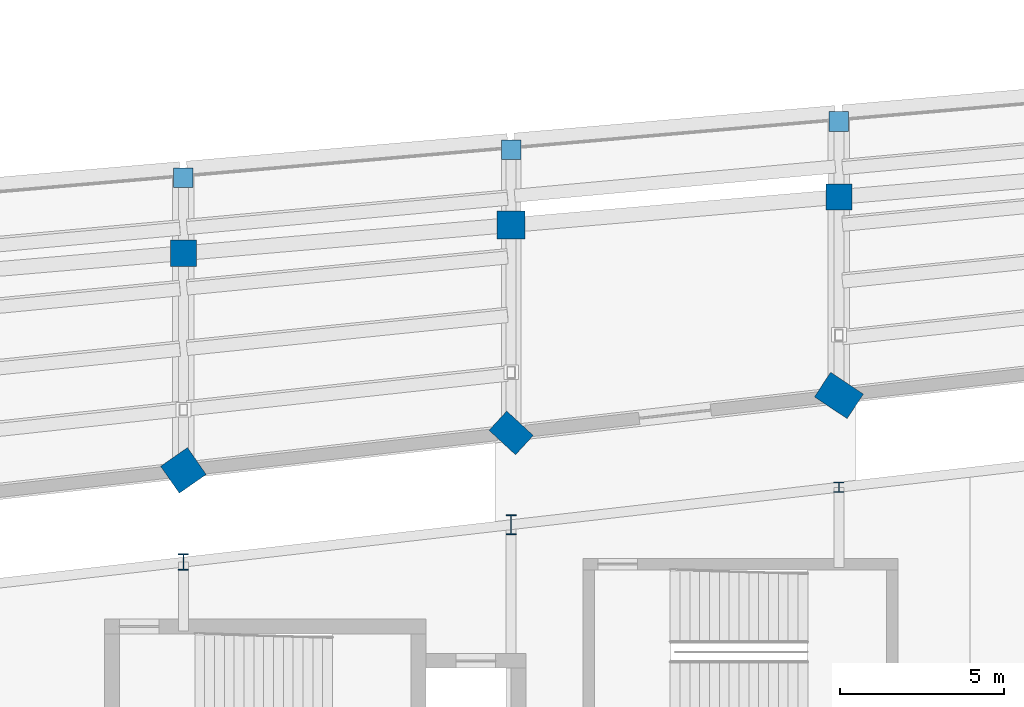
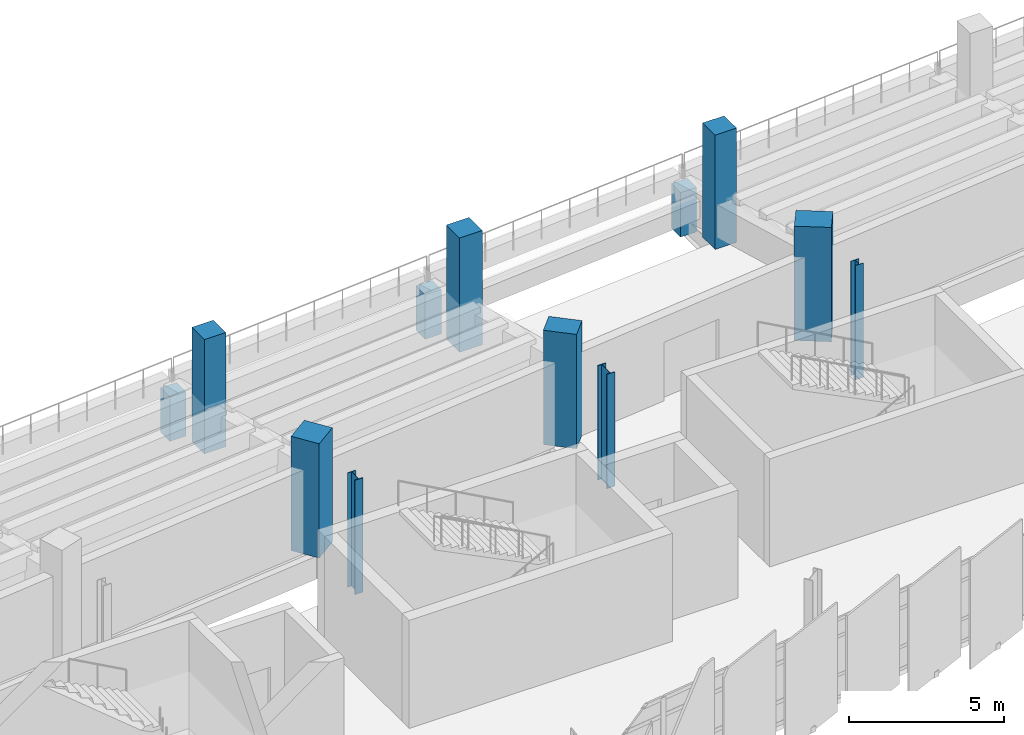
# One storey, part 8 of 120: 12 columns.
"""IFC4 building model written with IfcOpenShell, lengths in metres."""

from ifc_helpers import new_model, si_unit, direction, frame, origin, origin_2d, place, context, subcontext, project, spatial, rectangle, i_section, extrude, material, material_profile, profile_set, type_object, element, save


model = new_model("IFC4")

# Units and contexts
model_context = context("Model", 3, precision=1e-05, world=origin(), true_north=direction((0.0, 1.0)))
body_context = subcontext(model_context, "Body", "Model", "MODEL_VIEW")
ifc_project = project(units=[si_unit("LENGTHUNIT", "METRE"), si_unit("AREAUNIT", "SQUARE_METRE"), si_unit("VOLUMEUNIT", "CUBIC_METRE"), si_unit("PLANEANGLEUNIT", "RADIAN"), si_unit("MASSUNIT", "GRAM", prefix="KILO")], contexts=[model_context])

# Site, building, storey
site_placement = place(None, origin())
site = spatial("IfcSite", under=ifc_project, at=site_placement, CompositionType="ELEMENT")
building_placement = place(site_placement, origin())
building = spatial("IfcBuilding", under=site, at=building_placement, Name="Sohan Crest Arena", CompositionType="ELEMENT")
storey_placement = place(building_placement, frame((0.0, 0.0, 13.5)))
storey = spatial("IfcBuildingStorey", under=building, at=storey_placement, Name="L03", CompositionType="ELEMENT", Elevation=13.5)

# Columns
ifc_material_1 = material(Name="Concrete C40/50", Category="concrete")
ifc_material_profile_1 = material_profile(ifc_material_1, rectangle(XDim=0.60009765625, YDim=0.60009765625, at=origin_2d()), Name="RC 600x600")
ifc_profile_set_1 = profile_set([ifc_material_profile_1], Name="Concrete C40/50")
column_type_1 = type_object("IfcColumnType", Name="STR-COL-C01", PredefinedType="COLUMN", material=ifc_profile_set_1)
for number, where, z_axis, x_axis, name in (
    (1, (118.0, 58.214111328125, -1.0), (0.0, 0.0, 1.0), (1.0, 0.0, 0.0), "Upper tier nose support column RKP-N15"),
    (2, (128.0, 59.071044921875, -1.0), (0.0, 0.0, 1.0), (1.0, 0.0, 0.0), "Upper tier nose support column RKP-N16"),
    (3, (138.0, 59.928955078125, -1.0), (0.0, 0.0, 1.0), (1.0, 0.0, 0.0), "Upper tier nose support column RKP-N17"),
):
    element("IfcColumn", number, at=place(storey_placement, frame(where, z_axis=z_axis, x_axis=x_axis)), inside=storey, type_object=column_type_1, Name=name, PredefinedType="COLUMN", context=body_context, shape_type="SweptSolid", body=[
        extrude(rectangle(XDim=0.60009765625, YDim=0.60009765625, at=origin_2d()), origin(), (0.0, 0.0, 1.0), 1.75),
    ])
ifc_material_profile_2 = material_profile(ifc_material_1, rectangle(XDim=0.800048828125, YDim=0.800048828125, at=origin_2d()), Name="RC 800x800")
ifc_profile_set_2 = profile_set([ifc_material_profile_2], Name="Concrete C40/50")
column_type_2 = type_object("IfcColumnType", Name="STR-COL-C05", PredefinedType="COLUMN", material=ifc_profile_set_2)
for number, where, z_axis, x_axis, name in (
    (4, (118.0, 55.9140625, 0.0), (0.0, 0.0, 1.0), (1.0, 0.0, 0.0), "Structural column COL-V1M-15-L03"),
    (5, (138.0, 57.62890625, 0.0), (0.0, 0.0, 1.0), (1.0, 0.0, 0.0), "Structural column COL-V1M-17-L03"),
):
    element("IfcColumn", number, at=place(storey_placement, frame(where, z_axis=z_axis, x_axis=x_axis)), inside=storey, type_object=column_type_2, Name=name, PredefinedType="COLUMN", context=body_context, shape_type="SweptSolid", body=[
        extrude(rectangle(XDim=0.800048828125, YDim=0.800048828125, at=origin_2d()), origin(), (0.0, 0.0, 1.0), 4.5),
    ])
ifc_material_profile_3 = material_profile(ifc_material_1, rectangle(XDim=0.85009765625, YDim=0.85009765625, at=origin_2d()), Name="RC 850x850")
ifc_profile_set_3 = profile_set([ifc_material_profile_3], Name="Concrete C40/50")
column_type_3 = type_object("IfcColumnType", Name="STR-COL-C06", PredefinedType="COLUMN", material=ifc_profile_set_3)
column_1_placement = place(storey_placement, frame((128.0, 56.77099609375, 0.0), z_axis=(0.0, 0.0, 1.0), x_axis=(1.0, 0.0, 0.0)))
element("IfcColumn", 6, at=column_1_placement, inside=storey, type_object=column_type_3, Name="Structural column COL-V1M-16-L03", PredefinedType="COLUMN", context=body_context, shape_type="SweptSolid", body=[
    extrude(rectangle(XDim=0.85009765625, YDim=0.85009765625, at=origin_2d()), origin(), (0.0, 0.0, 1.0), 4.5),
])
ifc_material_profile_4 = material_profile(ifc_material_1, rectangle(XDim=1.0, YDim=1.0, at=origin_2d()), Name="RC 1000x1000")
ifc_profile_set_4 = profile_set([ifc_material_profile_4], Name="Concrete C40/50")
column_type_4 = type_object("IfcColumnType", Name="STR-COL-C09", PredefinedType="COLUMN", material=ifc_profile_set_4)
column_2_placement = place(storey_placement, frame((118.0, 49.285888671875, 0.0), z_axis=(0.0, 0.0, 1.0), x_axis=(-0.572145873446, 0.820151875874, 0.0)))
element("IfcColumn", 7, at=column_2_placement, inside=storey, type_object=column_type_4, Name="Structural column COL-V1R-15-L03", PredefinedType="COLUMN", context=body_context, shape_type="SweptSolid", body=[
    extrude(rectangle(XDim=1.0, YDim=1.0, at=origin_2d()), origin(), (0.0, 0.0, 1.0), 4.5),
])
ifc_material_profile_5 = material_profile(ifc_material_1, rectangle(XDim=1.10009765625, YDim=0.800048828125, at=origin_2d()), Name="RC 1100x800")
ifc_profile_set_5 = profile_set([ifc_material_profile_5], Name="Concrete C40/50")
column_type_5 = type_object("IfcColumnType", Name="STR-COL-C10", PredefinedType="COLUMN", material=ifc_profile_set_5)
column_3_placement = place(storey_placement, frame((128.0, 50.428955078125, 0.0), z_axis=(0.0, 0.0, 1.0), x_axis=(-0.73609708712, 0.676875969683, 0.0)))
element("IfcColumn", 8, at=column_3_placement, inside=storey, type_object=column_type_5, Name="Structural column COL-V1R-16-L03", PredefinedType="COLUMN", context=body_context, shape_type="SweptSolid", body=[
    extrude(rectangle(XDim=1.10009765625, YDim=0.800048828125, at=origin_2d()), origin(), (0.0, 0.0, 1.0), 4.5),
])
ifc_material_profile_6 = material_profile(ifc_material_1, rectangle(XDim=1.199951171875, YDim=0.89990234375, at=origin_2d()), Name="RC 1200x900")
ifc_profile_set_6 = profile_set([ifc_material_profile_6], Name="Concrete C40/50")
column_type_6 = type_object("IfcColumnType", Name="STR-COL-C11", PredefinedType="COLUMN", material=ifc_profile_set_6)
column_4_placement = place(storey_placement, frame((138.0, 51.571044921875, 0.0), z_axis=(0.0, 0.0, 1.0), x_axis=(-0.833885822067, 0.551936985312, 0.0)))
element("IfcColumn", 9, at=column_4_placement, inside=storey, type_object=column_type_6, Name="Structural column COL-V1R-17-L03", PredefinedType="COLUMN", context=body_context, shape_type="SweptSolid", body=[
    extrude(rectangle(XDim=1.199951171875, YDim=0.89990234375, at=origin_2d()), origin(), (0.0, 0.0, 1.0), 4.5),
])
ifc_material_2 = material(Name="Steel S355", Category="steel")
ifc_material_profile_7 = material_profile(ifc_material_2, i_section(OverallWidth=0.300048828125, OverallDepth=0.300048828125, WebThickness=0.010986328125, FlangeThickness=0.01904296875, at=origin_2d()), Name="HEB 300")
ifc_profile_set_7 = profile_set([ifc_material_profile_7], Name="Steel S355")
column_type_7 = type_object("IfcColumnType", Name="STR-COL-C17", PredefinedType="COLUMN", material=ifc_profile_set_7)
column_5_placement = place(storey_placement, frame((138.0, 48.77099609375, 0.0), z_axis=(0.0, 0.0, 1.0), x_axis=(1.0, 0.0, 0.0)))
element("IfcColumn", 10, at=column_5_placement, inside=storey, type_object=column_type_7, Name="Structural column COL-V2I-17-L03", PredefinedType="COLUMN", context=body_context, shape_type="SweptSolid", body=[
    extrude(i_section(OverallWidth=0.300048828125, OverallDepth=0.300048828125, WebThickness=0.010986328125, FlangeThickness=0.01904296875, at=origin_2d()), origin(), (0.0, 0.0, 1.0), 4.5),
])
ifc_material_profile_8 = material_profile(ifc_material_2, i_section(OverallWidth=0.300048828125, OverallDepth=0.5, WebThickness=0.014404296875, FlangeThickness=0.028076171875, at=origin_2d()), Name="HEB 500")
ifc_profile_set_8 = profile_set([ifc_material_profile_8], Name="Steel S355")
column_type_8 = type_object("IfcColumnType", Name="STR-COL-C19", PredefinedType="COLUMN", material=ifc_profile_set_8)
column_6_placement = place(storey_placement, frame((118.0, 46.486083984375, 0.0), z_axis=(0.0, 0.0, 1.0), x_axis=(1.0, 0.0, 0.0)))
element("IfcColumn", 11, at=column_6_placement, inside=storey, type_object=column_type_8, Name="Structural column COL-V2I-15-L03", PredefinedType="COLUMN", context=body_context, shape_type="SweptSolid", body=[
    extrude(i_section(OverallWidth=0.300048828125, OverallDepth=0.5, WebThickness=0.014404296875, FlangeThickness=0.028076171875, at=origin_2d()), origin(), (0.0, 0.0, 1.0), 4.5),
])
ifc_material_profile_9 = material_profile(ifc_material_2, i_section(OverallWidth=0.300048828125, OverallDepth=0.60009765625, WebThickness=0.015380859375, FlangeThickness=0.030029296875, at=origin_2d()), Name="HEB 600")
ifc_profile_set_9 = profile_set([ifc_material_profile_9], Name="Steel S355")
column_type_9 = type_object("IfcColumnType", Name="STR-COL-C20", PredefinedType="COLUMN", material=ifc_profile_set_9)
column_7_placement = place(storey_placement, frame((128.0, 47.62890625, 0.0), z_axis=(0.0, 0.0, 1.0), x_axis=(1.0, 0.0, 0.0)))
element("IfcColumn", 12, at=column_7_placement, inside=storey, type_object=column_type_9, Name="Structural column COL-V2I-16-L03", PredefinedType="COLUMN", context=body_context, shape_type="SweptSolid", body=[
    extrude(i_section(OverallWidth=0.300048828125, OverallDepth=0.60009765625, WebThickness=0.015380859375, FlangeThickness=0.030029296875, at=origin_2d()), origin(), (0.0, 0.0, 1.0), 4.5),
])

save(model, "model.ifc")
